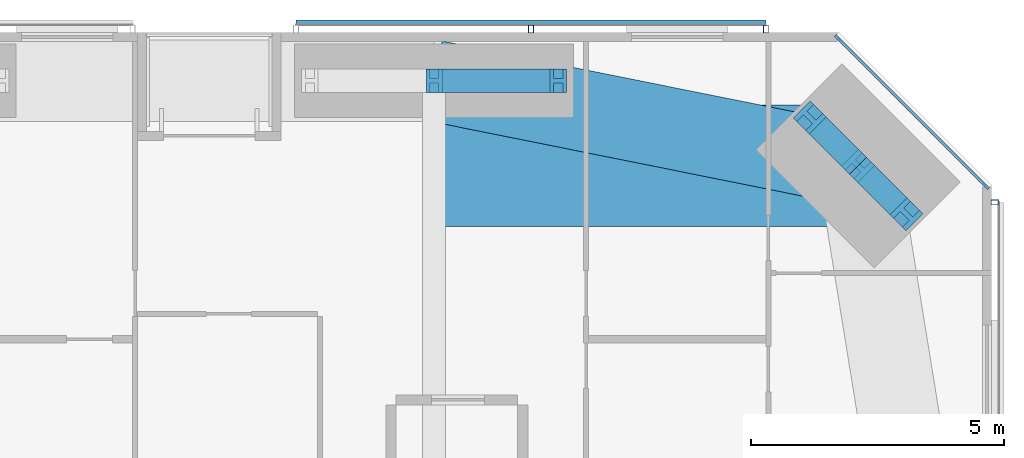
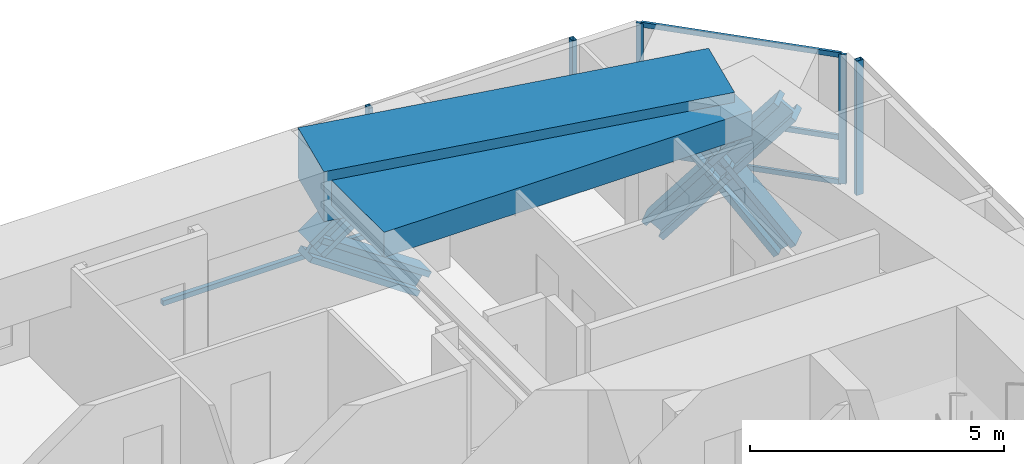
# One storey, part 13 of 22: 15 members, 2 beams, 3 elements without a shape of their own.
"""IFC4 building model written with IfcOpenShell, lengths in metres."""

from ifc_helpers import new_model, si_unit, direction, frame, origin, origin_2d, place, context, subcontext, project, spatial, rectangle, hollow_rectangle, i_section, extrude, material, material_profile, profile_set, type_object, element, aggregate, save


model = new_model("IFC4")

# Units and contexts
model_context = context("Model", 3, precision=1e-05, world=origin(), true_north=direction((0.0, 1.0)))
body_context = subcontext(model_context, "Body", "Model", "MODEL_VIEW")
ifc_project = project(units=[si_unit("LENGTHUNIT", "METRE"), si_unit("AREAUNIT", "SQUARE_METRE"), si_unit("VOLUMEUNIT", "CUBIC_METRE"), si_unit("PLANEANGLEUNIT", "RADIAN"), si_unit("MASSUNIT", "GRAM", prefix="KILO")], contexts=[model_context])

# Site, building, storey
site_placement = place(None, origin())
site = spatial("IfcSite", under=ifc_project, at=site_placement, CompositionType="ELEMENT")
building_placement = place(site_placement, origin())
building = spatial("IfcBuilding", under=site, at=building_placement, Name="Jalousie Tower", CompositionType="ELEMENT")
storey_placement = place(building_placement, frame((0.0, 0.0, 64.550048828125)))
storey = spatial("IfcBuildingStorey", under=building, at=storey_placement, Name="L17", CompositionType="ELEMENT", Elevation=64.550048828125)

# Curtain wall, members
ifc_material_1 = material(Name="Aluminium curtain wall", Category="aluminium")
curtain_wall_type_1 = type_object("IfcCurtainWallType", Name="CORNER WINDOW WALL", PredefinedType="USERDEFINED", material=ifc_material_1)
curtain_wall_1_placement = place(storey_placement, origin())
curtain_wall_1 = element("IfcCurtainWall", 1, at=curtain_wall_1_placement, inside=storey, type_object=curtain_wall_type_1, Name="Corner Window Wall L17 4", ObjectType="CORNER WINDOW WALL", PredefinedType="USERDEFINED")
ifc_material_2 = material(Name="Aluminium mullion", Category="aluminium")
ifc_material_profile_1 = material_profile(ifc_material_2, rectangle(XDim=0.06005859375, YDim=0.14990234375, at=origin_2d()), Name="MULLION 60x150")
ifc_profile_set_1 = profile_set([ifc_material_profile_1], Name="Aluminium mullion")
member_type_1 = type_object("IfcMemberType", Name="CORNER WINDOW WALL MULLION", PredefinedType="MULLION", material=ifc_profile_set_1)
member_1_placement = place(storey_placement, frame((45.891357421875, 34.969970703125, 0.0), z_axis=(0.0, 0.0, 1.0), x_axis=(-0.707106781187, -0.707106781187, 0.0)))
member_1 = element("IfcMember", 2, at=member_1_placement, type_object=member_type_1, Name="CW-C mullion 1", PredefinedType="MULLION", context=body_context, shape_type="SweptSolid", body=[
    extrude(rectangle(XDim=0.06005859375, YDim=0.14990234375, at=origin_2d()), origin(), (0.0, 0.0, 1.0), 3.10986328125),
])
member_2_placement = place(storey_placement, frame((42.969970703125, 37.891357421875, 0.0), z_axis=(0.0, 0.0, 1.0), x_axis=(-0.707106781187, -0.707106781187, 0.0)))
member_2 = element("IfcMember", 3, at=member_2_placement, type_object=member_type_1, Name="CW-C mullion 2", PredefinedType="MULLION", context=body_context, shape_type="SweptSolid", body=[
    extrude(rectangle(XDim=0.06005859375, YDim=0.14990234375, at=origin_2d()), origin(), (0.0, 0.0, 1.0), 3.10986328125),
])
ifc_material_3 = material(Name="Aluminium transom", Category="aluminium")
ifc_material_profile_2 = material_profile(ifc_material_3, rectangle(XDim=0.06005859375, YDim=0.1201171875, at=origin_2d()), Name="TRANSOM 60x120")
ifc_profile_set_2 = profile_set([ifc_material_profile_2], Name="Aluminium transom")
member_type_2 = type_object("IfcMemberType", Name="CORNER WINDOW WALL TRANSOM", PredefinedType="USERDEFINED", material=ifc_profile_set_2)
member_3_placement = place(storey_placement, frame((45.8701171875, 34.9912109375, 0.030029296875), z_axis=(-0.707106781187, 0.707106781187, 0.0), x_axis=(-0.707106781187, -0.707106781187, 0.0)))
member_3 = element("IfcMember", 4, at=member_3_placement, type_object=member_type_2, Name="CW-C transom 1.1", ObjectType="TRANSOM", PredefinedType="USERDEFINED", context=body_context, shape_type="SweptSolid", body=[
    extrude(rectangle(XDim=0.06005859375, YDim=0.1201171875, at=origin_2d()), origin(), (0.0, 0.0, 1.0), 4.0712890625),
])
member_4_placement = place(storey_placement, frame((45.8701171875, 34.9912109375, 1.099853515625), z_axis=(-0.707106781187, 0.707106781187, 0.0), x_axis=(-0.707106781187, -0.707106781187, 0.0)))
member_4 = element("IfcMember", 5, at=member_4_placement, type_object=member_type_2, Name="CW-C transom 1.2", ObjectType="TRANSOM", PredefinedType="USERDEFINED", context=body_context, shape_type="SweptSolid", body=[
    extrude(rectangle(XDim=0.06005859375, YDim=0.1201171875, at=origin_2d()), origin(), (0.0, 0.0, 1.0), 4.0712890625),
])
member_5_placement = place(storey_placement, frame((45.8701171875, 34.9912109375, 3.079833984375), z_axis=(-0.707106781187, 0.707106781187, 0.0), x_axis=(-0.707106781187, -0.707106781187, 0.0)))
member_5 = element("IfcMember", 6, at=member_5_placement, type_object=member_type_2, Name="CW-C transom 1.3", ObjectType="TRANSOM", PredefinedType="USERDEFINED", context=body_context, shape_type="SweptSolid", body=[
    extrude(rectangle(XDim=0.06005859375, YDim=0.1201171875, at=origin_2d()), origin(), (0.0, 0.0, 1.0), 4.0712890625),
])
aggregate(curtain_wall_1, [member_1, member_2, member_3, member_4, member_5])

# Members
ifc_material_4 = material(Name="Steel ASTM A992 Grade 50", Category="steel")
ifc_material_profile_3 = material_profile(ifc_material_4, i_section(OverallWidth=0.472412109375, OverallDepth=0.5791015625, WebThickness=0.094970703125, FlangeThickness=0.1298828125, at=origin_2d()), Name="W14X808")
ifc_profile_set_3 = profile_set([ifc_material_profile_3], Name="Steel ASTM A992 Grade 50")
member_type_3 = type_object("IfcMemberType", Name="PERIMETER BRACE W14X808", PredefinedType="BRACE", material=ifc_profile_set_3)
for number, where, z_axis, x_axis, name in (
    (7, (44.3232421875, 34.4140625, -0.60009765625), (-0.443718327034, 0.443718327034, 0.778606506849), (-0.707106781187, -0.707106781187, 0.0), "Perimeter brace 08 L17 part 1"),
    (8, (43.36865234375, 35.36865234375, 1.074951171875), (-0.443718327034, 0.443718327034, 0.778606506849), (-0.707106781187, -0.707106781187, 0.0), "Perimeter brace 08 L17 part 2"),
    (9, (42.4140625, 36.3232421875, -0.60009765625), (0.443718327034, -0.443718327034, 0.778606506849), (0.707106781187, 0.707106781187, 0.0), "Perimeter brace 08 L17 part 3"),
    (10, (43.36865234375, 35.36865234375, 1.074951171875), (0.443718327034, -0.443718327034, 0.778606506849), (0.707106781187, 0.707106781187, 0.0), "Perimeter brace 08 L17 part 4"),
):
    element("IfcMember", number, at=place(storey_placement, frame(where, z_axis=z_axis, x_axis=x_axis)), inside=storey, type_object=member_type_3, Name=name, PredefinedType="BRACE", context=body_context, shape_type="SweptSolid", body=[
        extrude(i_section(OverallWidth=0.472412109375, OverallDepth=0.5791015625, WebThickness=0.094970703125, FlangeThickness=0.1298828125, at=origin_2d()), origin(), (0.0, 0.0, 1.0), 2.1513671875),
    ])
for number, where, z_axis, x_axis, name in (
    (11, (35.0, 37.050048828125, 1.074951171875), (0.825500916831, 0.0, 0.564400776321), (0.0, 1.0, 0.0), "Perimeter brace 09 L17 part 2"),
    (12, (37.449951171875, 37.050048828125, -0.60009765625), (-0.825500916831, 0.0, 0.564400776321), (0.0, -1.0, 0.0), "Perimeter brace 09 L17 part 3"),
):
    element("IfcMember", number, at=place(storey_placement, frame(where, z_axis=z_axis, x_axis=x_axis)), inside=storey, type_object=member_type_3, Name=name, PredefinedType="BRACE", context=body_context, shape_type="SweptSolid", body=[
        extrude(i_section(OverallWidth=0.472412109375, OverallDepth=0.5791015625, WebThickness=0.094970703125, FlangeThickness=0.1298828125, at=origin_2d()), origin(), (0.0, 0.0, 1.0), 2.9677734375),
    ])

# Beams
ifc_material_5 = material(Name="Concrete f'c 40 MPa", Category="concrete")
ifc_material_profile_4 = material_profile(ifc_material_5, rectangle(XDim=1.60009765625, YDim=1.199951171875, at=origin_2d()), Name="RC 1600x1200")
ifc_profile_set_4 = profile_set([ifc_material_profile_4], Name="Concrete f'c 40 MPa")
beam_type_1 = type_object("IfcBeamType", Name="RC BEAM 1600x1200", PredefinedType="BEAM", material=ifc_profile_set_4)
beam_1_placement = place(storey_placement, frame((43.36865234375, 35.36865234375, 2.75), z_axis=(-0.980407585444, 0.196979609107, 0.0), x_axis=(-0.196979609107, -0.980407585444, 0.0)))
element("IfcBeam", 13, at=beam_1_placement, inside=storey, type_object=beam_type_1, Name="Edge band beam 08-09 under L18", PredefinedType="BEAM", context=body_context, shape_type="SweptSolid", body=[
    extrude(rectangle(XDim=1.60009765625, YDim=1.199951171875, at=origin_2d()), origin(), (0.0, 0.0, 1.0), 8.535888671875),
])
ifc_material_6 = material(Name="Concrete f'c 40 MPa", Category="concrete")
ifc_material_profile_5 = material_profile(ifc_material_6, rectangle(XDim=2.39990234375, YDim=0.60009765625, at=origin_2d()), Name="RC 2400x600")
ifc_profile_set_5 = profile_set([ifc_material_profile_5], Name="Concrete f'c 40 MPa")
beam_type_2 = type_object("IfcBeamType", Name="RC BEAM 2400x600", PredefinedType="BEAM", material=ifc_profile_set_5)
beam_2_placement = place(storey_placement, frame((43.36865234375, 35.36865234375, 2.81005859375), z_axis=(-1.0, 0.0, 0.0), x_axis=(0.0, -1.0, 0.0)))
element("IfcBeam", 14, at=beam_2_placement, inside=storey, type_object=beam_type_2, Name="Floor band beam under L18", PredefinedType="BEAM", context=body_context, shape_type="SweptSolid", body=[
    extrude(rectangle(XDim=2.39990234375, YDim=0.60009765625, at=origin_2d()), origin(), (0.0, 0.0, 1.0), 8.36865234375),
])

# Curtain wall, member
ifc_material_7 = material(Name="Perforated aluminium sheet", Category="aluminium")
curtain_wall_type_2 = type_object("IfcCurtainWallType", Name="SOLAR SCREEN SS-1", PredefinedType="USERDEFINED", material=ifc_material_7)
curtain_wall_2_placement = place(storey_placement, origin())
curtain_wall_2 = element("IfcCurtainWall", 15, at=curtain_wall_2_placement, inside=storey, type_object=curtain_wall_type_2, Name="Solar screen L17", ObjectType="SOLAR SCREEN SS-1", PredefinedType="USERDEFINED")
ifc_material_8 = material(Name="Steel ASTM A500 Grade C", Category="steel")
ifc_material_profile_6 = material_profile(ifc_material_8, hollow_rectangle(XDim=0.1015625, YDim=0.15234375, WallThickness=0.00634765625, at=origin_2d()), Name="HSS6X4X1/4")
ifc_profile_set_6 = profile_set([ifc_material_profile_6], Name="Steel ASTM A500 Grade C")
member_type_4 = type_object("IfcMemberType", Name="SOLAR SCREEN SS-1 MULLION", PredefinedType="MULLION", material=ifc_profile_set_6)
member_6_placement = place(storey_placement, frame((46.0712890625, 34.648681640625, -0.1201171875), z_axis=(0.0, 0.0, 1.0), x_axis=(0.0, 1.0, 0.0)))
member_6 = element("IfcMember", 16, at=member_6_placement, type_object=member_type_4, Name="SS1 post 4", PredefinedType="MULLION", context=body_context, shape_type="SweptSolid", body=[
    extrude(hollow_rectangle(XDim=0.1015625, YDim=0.15234375, WallThickness=0.00634765625, at=origin_2d()), origin(), (0.0, 0.0, 1.0), 3.22998046875),
])
aggregate(curtain_wall_2, [member_6])

# Curtain wall, members
curtain_wall_3_placement = place(storey_placement, origin())
curtain_wall_3 = element("IfcCurtainWall", 17, at=curtain_wall_3_placement, inside=storey, type_object=curtain_wall_type_2, Name="Solar screen L17", ObjectType="SOLAR SCREEN SS-1", PredefinedType="USERDEFINED")
member_7_placement = place(storey_placement, frame((41.550048828125, 38.0712890625, -0.1201171875), z_axis=(0.0, 0.0, 1.0), x_axis=(-1.0, 0.0, 0.0)))
member_7 = element("IfcMember", 18, at=member_7_placement, type_object=member_type_4, Name="SS1 post 1", PredefinedType="MULLION", context=body_context, shape_type="SweptSolid", body=[
    extrude(hollow_rectangle(XDim=0.1015625, YDim=0.15234375, WallThickness=0.00634765625, at=origin_2d()), origin(), (0.0, 0.0, 1.0), 3.22998046875),
])
member_8_placement = place(storey_placement, frame((36.91259765625, 38.0712890625, -0.1201171875), z_axis=(0.0, 0.0, 1.0), x_axis=(-1.0, 0.0, 0.0)))
member_8 = element("IfcMember", 19, at=member_8_placement, type_object=member_type_4, Name="SS1 post 2", PredefinedType="MULLION", context=body_context, shape_type="SweptSolid", body=[
    extrude(hollow_rectangle(XDim=0.1015625, YDim=0.15234375, WallThickness=0.00634765625, at=origin_2d()), origin(), (0.0, 0.0, 1.0), 3.22998046875),
])
ifc_material_9 = material(Name="Extruded aluminium screen rail", Category="aluminium")
ifc_material_profile_7 = material_profile(ifc_material_9, rectangle(XDim=0.1015625, YDim=0.1201171875, at=origin_2d()), Name="RAIL 102x120")
ifc_profile_set_7 = profile_set([ifc_material_profile_7], Name="Extruded aluminium screen rail")
member_type_5 = type_object("IfcMemberType", Name="SOLAR SCREEN SS-1 TRANSOM", PredefinedType="USERDEFINED", material=ifc_profile_set_7)
member_9_placement = place(storey_placement, frame((41.550048828125, 38.1982421875, -0.06005859375), z_axis=(-1.0, 0.0, 0.0), x_axis=(0.0, -1.0, 0.0)))
member_9 = element("IfcMember", 20, at=member_9_placement, type_object=member_type_5, Name="SS1 rail", ObjectType="TRANSOM", PredefinedType="USERDEFINED", context=body_context, shape_type="SweptSolid", body=[
    extrude(rectangle(XDim=0.1015625, YDim=0.1201171875, at=origin_2d()), origin(), (0.0, 0.0, 1.0), 9.275146484375),
])
aggregate(curtain_wall_3, [member_7, member_8, member_9])

save(model, "model.ifc")
